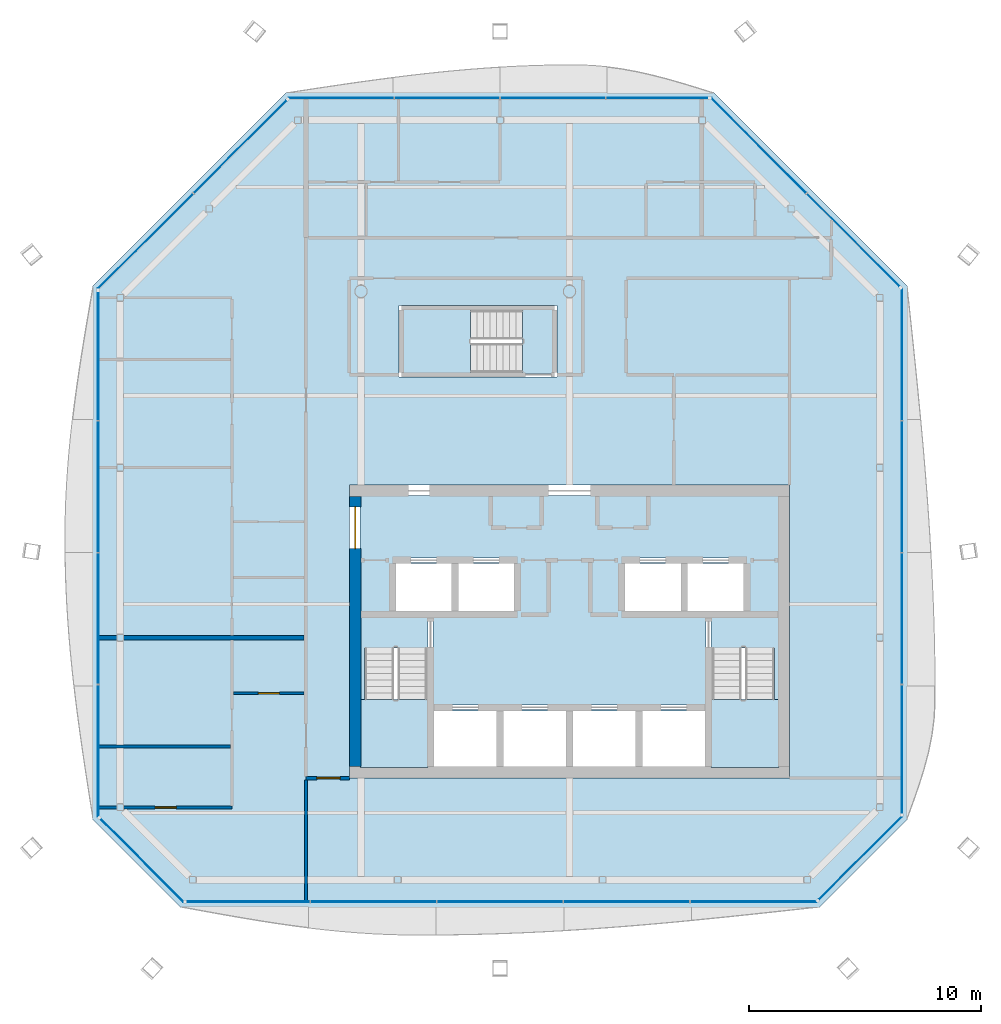
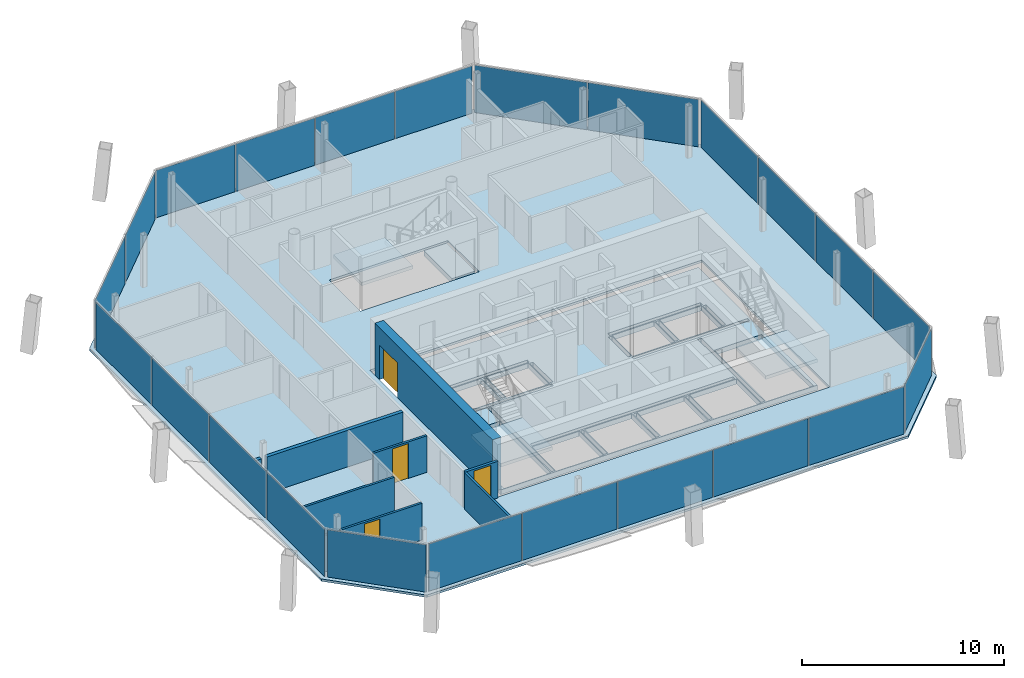
# One storey, part 9 of 16: 23 plates, 9 walls, 6 slabs, 4 doors, 4 openings, 11 elements without a shape of their own.
"""IFC4 building model written with IfcOpenShell, lengths in metres."""

import ifcopenshell
import ifcopenshell.guid

model = None  # the IFC model being written
_history = None  # IfcOwnerHistory: only IFC2X3 demands one
_inside = {}  # id of a spatial element -> (the spatial element, [elements in it])
_under = {}  # id of a project, library or spatial element -> (it, [spatial elements below it])
_declared = {}  # id of a project -> (the project, [libraries it declares])
_typed = {}  # id of a type object -> (the type object, [elements of that type])
_made_of = {}  # id of a material, layer set ... -> (it, [elements and type objects made of it])


def new_model(schema):
    """Start an empty IFC model of exactly this schema.

    Asked for "IFC4X3", IfcOpenShell would pick the latest addendum, in which some entities
    have other attributes; the version numbers below select the first issue.
    IFC2X3 requires an IfcOwnerHistory on every rooted entity: one is made here for all.
    """
    global model, _history
    if schema == "IFC4X3":
        model = ifcopenshell.file(schema_version=(4, 3, 0, 0))
    else:
        model = ifcopenshell.file(schema=schema)
    _inside.clear()
    _under.clear()
    _declared.clear()
    _typed.clear()
    _made_of.clear()
    _history = None
    if model.schema == "IFC2X3":
        org = make("IfcOrganization", Name="unknown")
        user = make(
            "IfcPersonAndOrganization",
            ThePerson=make("IfcPerson", FamilyName="unknown"),
            TheOrganization=org,
        )
        app = make(
            "IfcApplication",
            ApplicationDeveloper=org,
            Version="unknown",
            ApplicationFullName="unknown",
            ApplicationIdentifier="unknown",
        )
        _history = make(
            "IfcOwnerHistory",
            OwningUser=user,
            OwningApplication=app,
            ChangeAction="ADDED",
            CreationDate=0,
        )
    return model


def make(cls, **values):
    """One entity of the class cls with the attributes given. An attribute that is None is left unset."""
    return model.create_entity(
        cls, **{name: value for name, value in values.items() if value is not None}
    )


def rooted(cls, **values):
    """An entity with a GlobalId (a new one), such as an element, a storey or a relation."""
    return make(cls, GlobalId=ifcopenshell.guid.new(), OwnerHistory=_history, **values)


def si_unit(unit_type, name, prefix=None):
    """IfcSIUnit, for example si_unit("LENGTHUNIT", "METRE", prefix="MILLI")."""
    return make("IfcSIUnit", UnitType=unit_type, Prefix=prefix, Name=name)


def assignment(units):
    """IfcUnitAssignment: the units of a project."""
    return None if units is None else make("IfcUnitAssignment", Units=units)


def point(xyz):
    """IfcCartesianPoint."""
    return None if xyz is None else make("IfcCartesianPoint", Coordinates=xyz)


def direction(xyz):
    """IfcDirection."""
    return None if xyz is None else make("IfcDirection", DirectionRatios=xyz)


def frame(location, z_axis=None, x_axis=None):
    """IfcAxis2Placement3D, a coordinate frame: its origin and axes. An axis left out is left unset."""
    return make(
        "IfcAxis2Placement3D",
        Location=point(location),
        Axis=direction(z_axis),
        RefDirection=direction(x_axis),
    )


def frame_2d(location, x_axis=None):
    """IfcAxis2Placement2D, a coordinate frame in the plane: its origin and x axis."""
    return make(
        "IfcAxis2Placement2D", Location=point(location), RefDirection=direction(x_axis)
    )


def origin():
    """The frame at (0, 0, 0) with its axes left unset."""
    return frame((0.0, 0.0, 0.0))


def origin_2d():
    """The frame at (0, 0) in the plane with its x axis left unset."""
    return frame_2d((0.0, 0.0))


def place(relative_to, where):
    """IfcLocalPlacement: puts the frame where relative to a parent placement (None: the world)."""
    return make(
        "IfcLocalPlacement", PlacementRelTo=relative_to, RelativePlacement=where
    )


def context(
    kind, dimensions, precision=None, world=None, true_north=None, identifier=None
):
    """IfcGeometricRepresentationContext, for example the 3D "Model" context."""
    return make(
        "IfcGeometricRepresentationContext",
        ContextIdentifier=identifier,
        ContextType=kind,
        CoordinateSpaceDimension=dimensions,
        Precision=precision,
        WorldCoordinateSystem=world,
        TrueNorth=true_north,
    )


def subcontext(parent, identifier, kind, view, scale=None):
    """IfcGeometricRepresentationSubContext, for example "Body" below "Model"."""
    return make(
        "IfcGeometricRepresentationSubContext",
        ContextIdentifier=identifier,
        ContextType=kind,
        ParentContext=parent,
        TargetScale=scale,
        TargetView=view,
    )


def project(units=None, contexts=None):
    """IfcProject with its units and contexts."""
    return rooted(
        "IfcProject",
        Name="project",
        RepresentationContexts=contexts,
        UnitsInContext=assignment(units),
    )


def spatial(cls, under=None, at=None, **own):
    """A site, building, storey or space (cls), placed at a placement, below another one or the project."""
    s = rooted(cls, ObjectPlacement=at, **own)
    if under is not None:
        _under.setdefault(under.id(), (under, []))[1].append(s)
    return s


def polyline(points):
    """IfcPolyline through the points."""
    return make("IfcPolyline", Points=[point(p) for p in points])


def profile(cls, at=None, kind="AREA", **sizes):
    """A parametric profile (cls). Its sizes go by their IFC names, for example OverallWidth=200.0."""
    return make(cls, ProfileType=kind, Position=at, **sizes)


def rectangle(**sizes):
    """IfcRectangleProfileDef."""
    return profile("IfcRectangleProfileDef", **sizes)


def outline(outer, holes=None, kind="AREA"):
    """IfcArbitraryClosedProfileDef: a profile drawn as a closed curve; with holes, ...WithVoids."""
    if holes is None:
        return make("IfcArbitraryClosedProfileDef", ProfileType=kind, OuterCurve=outer)
    return make(
        "IfcArbitraryProfileDefWithVoids",
        ProfileType=kind,
        OuterCurve=outer,
        InnerCurves=holes,
    )


def extrude(swept, where, along, depth):
    """IfcExtrudedAreaSolid: the profile swept, set in the frame where, extruded along a direction by depth."""
    return make(
        "IfcExtrudedAreaSolid",
        SweptArea=swept,
        Position=where,
        ExtrudedDirection=direction(along),
        Depth=depth,
    )


def shape(context_of_items, identifier, shape_type, items):
    """IfcShapeRepresentation: the items that make up one representation, for example the "Body"."""
    return make(
        "IfcShapeRepresentation",
        ContextOfItems=context_of_items,
        RepresentationIdentifier=identifier,
        RepresentationType=shape_type,
        Items=items,
    )


def material(Name=None, Category=None):
    """IfcMaterial."""
    return make("IfcMaterial", Name=Name, Category=Category)


def layer(
    of_material, thickness, ventilated=None, Name=None, Category=None, Priority=None
):
    """IfcMaterialLayer: one layer of a wall or slab, of a material (None: an air gap)."""
    return make(
        "IfcMaterialLayer",
        Material=of_material,
        LayerThickness=thickness,
        IsVentilated=ventilated,
        Name=Name,
        Category=Category,
        Priority=Priority,
    )


def layer_set(layers, Name=None):
    """IfcMaterialLayerSet."""
    return make("IfcMaterialLayerSet", MaterialLayers=layers, LayerSetName=Name)


def made_of(thing, what):
    """Note that an element or type object is made of a material, layer set ...; save() writes the relation."""
    if what is not None:
        _made_of.setdefault(what.id(), (what, []))[1].append(thing)
    return thing


def type_object(cls, material=None, **own):
    """A type object (cls), such as IfcWallType, which elements share."""
    return made_of(rooted(cls, **own), material)


def element(
    cls,
    number,
    at=None,
    inside=None,
    cuts=None,
    type_object=None,
    material=None,
    context=None,
    identifier="Body",
    shape_type=None,
    held_by="IfcProductDefinitionShape",
    body=None,
    shapes=None,
    **own,
):
    """One element of the class cls, such as IfcWall. Its Tag is "e" and its number.

    at: its placement. inside: the storey or other place that contains it. cuts: it is an
    opening in that element (IfcRelVoidsElement). A single representation is given by context,
    identifier, shape_type and body (its items); several are given by shapes. held_by: the class
    of the entity that holds the representations. save() writes the other relations.
    """
    e = rooted(cls, Tag="e%d" % number, ObjectPlacement=at, **own)
    if body is not None:
        shapes = [shape(context, identifier, shape_type, body)]
    if shapes is not None:
        e.Representation = make(held_by, Representations=shapes)
    if inside is not None:
        _inside.setdefault(inside.id(), (inside, []))[1].append(e)
    if cuts is not None:
        rooted(
            "IfcRelVoidsElement", RelatingBuildingElement=cuts, RelatedOpeningElement=e
        )
    if type_object is not None:
        _typed.setdefault(type_object.id(), (type_object, []))[1].append(e)
    return made_of(e, material)


def fill(opening, filler):
    """IfcRelFillsElement: the door or window that sits in an opening."""
    return rooted(
        "IfcRelFillsElement",
        RelatingOpeningElement=opening,
        RelatedBuildingElement=filler,
    )


def aggregate(whole, parts):
    """IfcRelAggregates: a whole, such as a stair, and the parts it consists of."""
    return rooted("IfcRelAggregates", RelatingObject=whole, RelatedObjects=parts)


def save(model, path):
    """Write the relations noted so far, then the file.

    IfcRelAggregates (storeys below a building ...), IfcRelContainedInSpatialStructure (elements
    in a storey), IfcRelDefinesByType, IfcRelAssociatesMaterial and IfcRelDeclares: one each for
    every whole, place, type object, material and project.
    """
    for whole, parts in _under.values():
        aggregate(whole, parts)
    for where, things in _inside.values():
        rooted(
            "IfcRelContainedInSpatialStructure",
            RelatedElements=things,
            RelatingStructure=where,
        )
    for kind, things in _typed.values():
        rooted("IfcRelDefinesByType", RelatedObjects=things, RelatingType=kind)
    for what, things in _made_of.values():
        rooted("IfcRelAssociatesMaterial", RelatedObjects=things, RelatingMaterial=what)
    for by, libraries in _declared.values():
        rooted("IfcRelDeclares", RelatingContext=by, RelatedDefinitions=libraries)
    model.write(path)


model = new_model("IFC4")

# Units and contexts
model_context = context("Model", 3, precision=1e-05, world=origin(), true_north=direction((0.0, 1.0)))
body_context = subcontext(model_context, "Body", "Model", "MODEL_VIEW")
ifc_project = project(units=[si_unit("LENGTHUNIT", "METRE"), si_unit("AREAUNIT", "SQUARE_METRE"), si_unit("VOLUMEUNIT", "CUBIC_METRE"), si_unit("PLANEANGLEUNIT", "RADIAN"), si_unit("MASSUNIT", "GRAM", prefix="KILO")], contexts=[model_context])

# Site, building, storey
site_placement = place(None, origin())
site = spatial("IfcSite", under=ifc_project, at=site_placement, CompositionType="ELEMENT")
building_placement = place(site_placement, origin())
building = spatial("IfcBuilding", under=site, at=building_placement, Name="Tskaro Facet Tower", CompositionType="ELEMENT")
storey_placement = place(building_placement, frame((0.0, 0.0, 248.699951171875)))
storey = spatial("IfcBuildingStorey", under=building, at=storey_placement, Name="L65", CompositionType="ELEMENT", Elevation=248.699951171875)

# Slab
ifc_material_1 = material(Name="Concrete C30/37", Category="concrete")
ifc_layer_1 = layer(ifc_material_1, 0.139892578125, Name="Concrete C30/37")
ifc_layer_set_1 = layer_set([ifc_layer_1], Name="Concrete C30/37")
slab_type_1 = type_object("IfcSlabType", Name="Composite deck floor slab", PredefinedType="FLOOR", material=ifc_layer_set_1)
slab_1_placement = place(storey_placement, frame((0.0, 0.0, -0.139892578125)))
element("IfcSlab", 1, at=slab_1_placement, inside=storey, type_object=slab_type_1, Name="Floor slab FS3 L65", PredefinedType="FLOOR", context=body_context, shape_type="SweptSolid", body=[
    extrude(outline(polyline([(-16.764892578125, -17.591064453125), (10.764892578125, -17.591064453125), (14.591064453125, -13.764892578125), (14.591064453125, 9.221923828125), (6.221923828125, 17.591064453125), (-12.221923828125, 17.591064453125), (-20.591064453125, 9.221923828125), (-20.591064453125, -13.764892578125), (-16.764892578125, -17.591064453125)]), holes=[polyline([(-9.5, -12.0), (9.5, -12.0), (9.5, 0.64990234375), (-9.5, 0.64990234375), (-9.5, -12.0)]), polyline([(-7.35009765625, 5.300048828125), (-0.550048828125, 5.300048828125), (-0.550048828125, 8.39990234375), (-7.35009765625, 8.39990234375), (-7.35009765625, 5.300048828125)])]), origin(), (0.0, 0.0, 1.0), 0.139892578125),
])

# Curtain wall, plates
ifc_material_2 = material(Name="Bronze anodised aluminium 6063-T6", Category="aluminium")
curtain_wall_type = type_object("IfcCurtainWallType", Name="Bronze residence curtain wall (FW3)", PredefinedType="NOTDEFINED", material=ifc_material_2)
curtain_wall_1_placement = place(storey_placement, origin())
curtain_wall_1 = element("IfcCurtainWall", 2, at=curtain_wall_1_placement, inside=storey, type_object=curtain_wall_type, Name="FW3 south facet L65", PredefinedType="NOTDEFINED")
ifc_material_3 = material(Name="Bronze low-iron glass", Category="glass")
ifc_layer_2 = layer(ifc_material_3, 0.028076171875, Name="Bronze low-iron glass")
ifc_layer_set_2 = layer_set([ifc_layer_2], Name="Bronze low-iron glass")
plate_type = type_object("IfcPlateType", Name="FW3 bronze-tinted unit glazing 28", PredefinedType="CURTAIN_PANEL", material=ifc_layer_set_2)
plate_1_placement = place(storey_placement, frame((-13.871337890625, -17.341064453125, 0.0), z_axis=(0.0, 0.0, 1.0), x_axis=(1.0, 0.0, 0.0)))
plate_1 = element("IfcPlate", 3, at=plate_1_placement, type_object=plate_type, Name="FW3 south glazing 1.1", PredefinedType="CURTAIN_PANEL", context=body_context, shape_type="SweptSolid", body=[
    extrude(rectangle(XDim=5.29931640625, YDim=0.028076171875, at=origin_2d()), origin(), (0.0, 0.0, 1.0), 2.860107421875),
])
plate_2_placement = place(storey_placement, frame((-8.46435546875, -17.341064453125, 0.0), z_axis=(0.0, 0.0, 1.0), x_axis=(1.0, 0.0, 0.0)))
plate_2 = element("IfcPlate", 4, at=plate_2_placement, type_object=plate_type, Name="FW3 south glazing 2.1", PredefinedType="CURTAIN_PANEL", context=body_context, shape_type="SweptSolid", body=[
    extrude(rectangle(XDim=5.414306640625, YDim=0.028076171875, at=origin_2d()), origin(), (0.0, 0.0, 1.0), 2.860107421875),
])
plate_3_placement = place(storey_placement, frame((-3.0, -17.341064453125, 0.0), z_axis=(0.0, 0.0, 1.0), x_axis=(1.0, 0.0, 0.0)))
plate_3 = element("IfcPlate", 5, at=plate_3_placement, type_object=plate_type, Name="FW3 south glazing 3.1", PredefinedType="CURTAIN_PANEL", context=body_context, shape_type="SweptSolid", body=[
    extrude(rectangle(XDim=5.414306640625, YDim=0.028076171875, at=origin_2d()), origin(), (0.0, 0.0, 1.0), 2.860107421875),
])
plate_4_placement = place(storey_placement, frame((2.46435546875, -17.341064453125, 0.0), z_axis=(0.0, 0.0, 1.0), x_axis=(1.0, 0.0, 0.0)))
plate_4 = element("IfcPlate", 6, at=plate_4_placement, type_object=plate_type, Name="FW3 south glazing 4.1", PredefinedType="CURTAIN_PANEL", context=body_context, shape_type="SweptSolid", body=[
    extrude(rectangle(XDim=5.414306640625, YDim=0.028076171875, at=origin_2d()), origin(), (0.0, 0.0, 1.0), 2.860107421875),
])
plate_5_placement = place(storey_placement, frame((7.94140625, -17.341064453125, 0.0), z_axis=(0.0, 0.0, 1.0), x_axis=(1.0, 0.0, 0.0)))
plate_5 = element("IfcPlate", 7, at=plate_5_placement, type_object=plate_type, Name="FW3 south glazing 5.1", PredefinedType="CURTAIN_PANEL", context=body_context, shape_type="SweptSolid", body=[
    extrude(rectangle(XDim=5.439453125, YDim=0.028076171875, at=origin_2d()), origin(), (0.0, 0.0, 1.0), 2.860107421875),
])
aggregate(curtain_wall_1, [plate_1, plate_2, plate_3, plate_4, plate_5])

# Curtain wall, plate
curtain_wall_2_placement = place(storey_placement, origin())
curtain_wall_2 = element("IfcCurtainWall", 8, at=curtain_wall_2_placement, inside=storey, type_object=curtain_wall_type, Name="FW3 south-east facet L65", PredefinedType="NOTDEFINED")
plate_6_placement = place(storey_placement, frame((12.550537109375, -15.451416015625, 0.0), z_axis=(0.0, 0.0, 1.0), x_axis=(0.707106781187, 0.707106781187, 0.0)))
plate_6 = element("IfcPlate", 9, at=plate_6_placement, type_object=plate_type, Name="FW3 south-east glazing 1.1", PredefinedType="CURTAIN_PANEL", context=body_context, shape_type="SweptSolid", body=[
    extrude(rectangle(XDim=5.064208984375, YDim=0.028076171875, at=origin_2d()), origin(), (0.0, 0.0, 1.0), 2.860107421875),
])
aggregate(curtain_wall_2, [plate_6])

# Curtain wall, plates
curtain_wall_3_placement = place(storey_placement, origin())
curtain_wall_3 = element("IfcCurtainWall", 10, at=curtain_wall_3_placement, inside=storey, type_object=curtain_wall_type, Name="FW3 east facet L65", PredefinedType="NOTDEFINED")
plate_7_placement = place(storey_placement, frame((14.341064453125, -10.756103515625, 0.0), z_axis=(0.0, 0.0, 1.0), x_axis=(0.0, 1.0, 0.0)))
plate_7 = element("IfcPlate", 11, at=plate_7_placement, type_object=plate_type, Name="FW3 east glazing 1.1", PredefinedType="CURTAIN_PANEL", context=body_context, shape_type="SweptSolid", body=[
    extrude(rectangle(XDim=5.52978515625, YDim=0.028076171875, at=origin_2d()), origin(), (0.0, 0.0, 1.0), 2.860107421875),
])
plate_8_placement = place(storey_placement, frame((14.341064453125, -5.118896484375, 0.0), z_axis=(0.0, 0.0, 1.0), x_axis=(0.0, 1.0, 0.0)))
plate_8 = element("IfcPlate", 12, at=plate_8_placement, type_object=plate_type, Name="FW3 east glazing 2.1", PredefinedType="CURTAIN_PANEL", context=body_context, shape_type="SweptSolid", body=[
    extrude(rectangle(XDim=5.644775390625, YDim=0.028076171875, at=origin_2d()), origin(), (0.0, 0.0, 1.0), 2.860107421875),
])
plate_9_placement = place(storey_placement, frame((14.341064453125, 0.575927734375, 0.0), z_axis=(0.0, 0.0, 1.0), x_axis=(0.0, 1.0, 0.0)))
plate_9 = element("IfcPlate", 13, at=plate_9_placement, type_object=plate_type, Name="FW3 east glazing 3.1", PredefinedType="CURTAIN_PANEL", context=body_context, shape_type="SweptSolid", body=[
    extrude(rectangle(XDim=5.644775390625, YDim=0.028076171875, at=origin_2d()), origin(), (0.0, 0.0, 1.0), 2.860107421875),
])
plate_10_placement = place(storey_placement, frame((14.341064453125, 6.283203125, 0.0), z_axis=(0.0, 0.0, 1.0), x_axis=(0.0, 1.0, 0.0)))
plate_10 = element("IfcPlate", 14, at=plate_10_placement, type_object=plate_type, Name="FW3 east glazing 4.1", PredefinedType="CURTAIN_PANEL", context=body_context, shape_type="SweptSolid", body=[
    extrude(rectangle(XDim=5.669677734375, YDim=0.028076171875, at=origin_2d()), origin(), (0.0, 0.0, 1.0), 2.860107421875),
])
aggregate(curtain_wall_3, [plate_7, plate_8, plate_9, plate_10])

curtain_wall_4_placement = place(storey_placement, origin())
curtain_wall_4 = element("IfcCurtainWall", 15, at=curtain_wall_4_placement, inside=storey, type_object=curtain_wall_type, Name="FW3 north-east facet L65", PredefinedType="NOTDEFINED")
plate_11_placement = place(storey_placement, frame((12.24462890625, 11.21435546875, 0.0), z_axis=(0.0, 0.0, 1.0), x_axis=(-0.707106781187, 0.707106781187, 0.0)))
plate_11 = element("IfcPlate", 16, at=plate_11_placement, type_object=plate_type, Name="FW3 north-east glazing 1.1", PredefinedType="CURTAIN_PANEL", context=body_context, shape_type="SweptSolid", body=[
    extrude(rectangle(XDim=5.649658203125, YDim=0.028076171875, at=origin_2d()), origin(), (0.0, 0.0, 1.0), 2.860107421875),
])
plate_12_placement = place(storey_placement, frame((8.164794921875, 15.294189453125, 0.0), z_axis=(0.0, 0.0, 1.0), x_axis=(-0.707106781187, 0.707106781187, 0.0)))
plate_12 = element("IfcPlate", 17, at=plate_12_placement, type_object=plate_type, Name="FW3 north-east glazing 2.1", PredefinedType="CURTAIN_PANEL", context=body_context, shape_type="SweptSolid", body=[
    extrude(rectangle(XDim=5.78955078125, YDim=0.028076171875, at=origin_2d()), origin(), (0.0, 0.0, 1.0), 2.860107421875),
])
aggregate(curtain_wall_4, [plate_11, plate_12])

curtain_wall_5_placement = place(storey_placement, origin())
curtain_wall_5 = element("IfcCurtainWall", 18, at=curtain_wall_5_placement, inside=storey, type_object=curtain_wall_type, Name="FW3 north facet L65", PredefinedType="NOTDEFINED")
plate_13_placement = place(storey_placement, frame((3.781005859375, 17.341064453125, 0.0), z_axis=(0.0, 0.0, 1.0), x_axis=(-1.0, 0.0, 0.0)))
plate_13 = element("IfcPlate", 19, at=plate_13_placement, type_object=plate_type, Name="FW3 north glazing 1.1", PredefinedType="CURTAIN_PANEL", context=body_context, shape_type="SweptSolid", body=[
    extrude(rectangle(XDim=4.39404296875, YDim=0.028076171875, at=origin_2d()), origin(), (0.0, 0.0, 1.0), 2.860107421875),
])
plate_14_placement = place(storey_placement, frame((-0.720458984375, 17.341064453125, 0.0), z_axis=(0.0, 0.0, 1.0), x_axis=(-1.0, 0.0, 0.0)))
plate_14 = element("IfcPlate", 20, at=plate_14_placement, type_object=plate_type, Name="FW3 north glazing 2.1", PredefinedType="CURTAIN_PANEL", context=body_context, shape_type="SweptSolid", body=[
    extrude(rectangle(XDim=4.509033203125, YDim=0.028076171875, at=origin_2d()), origin(), (0.0, 0.0, 1.0), 2.860107421875),
])
plate_15_placement = place(storey_placement, frame((-5.279541015625, 17.341064453125, 0.0), z_axis=(0.0, 0.0, 1.0), x_axis=(-1.0, 0.0, 0.0)))
plate_15 = element("IfcPlate", 21, at=plate_15_placement, type_object=plate_type, Name="FW3 north glazing 3.1", PredefinedType="CURTAIN_PANEL", context=body_context, shape_type="SweptSolid", body=[
    extrude(rectangle(XDim=4.509033203125, YDim=0.028076171875, at=origin_2d()), origin(), (0.0, 0.0, 1.0), 2.860107421875),
])
plate_16_placement = place(storey_placement, frame((-9.85107421875, 17.341064453125, 0.0), z_axis=(0.0, 0.0, 1.0), x_axis=(-1.0, 0.0, 0.0)))
plate_16 = element("IfcPlate", 22, at=plate_16_placement, type_object=plate_type, Name="FW3 north glazing 4.1", PredefinedType="CURTAIN_PANEL", context=body_context, shape_type="SweptSolid", body=[
    extrude(rectangle(XDim=4.533935546875, YDim=0.028076171875, at=origin_2d()), origin(), (0.0, 0.0, 1.0), 2.860107421875),
])
aggregate(curtain_wall_5, [plate_13, plate_14, plate_15, plate_16])

curtain_wall_6_placement = place(storey_placement, origin())
curtain_wall_6 = element("IfcCurtainWall", 23, at=curtain_wall_6_placement, inside=storey, type_object=curtain_wall_type, Name="FW3 north-west facet L65", PredefinedType="NOTDEFINED")
plate_17_placement = place(storey_placement, frame((-14.21435546875, 15.24462890625, 0.0), z_axis=(0.0, 0.0, 1.0), x_axis=(-0.707106781187, -0.707106781187, 0.0)))
plate_17 = element("IfcPlate", 24, at=plate_17_placement, type_object=plate_type, Name="FW3 north-west glazing 1.1", PredefinedType="CURTAIN_PANEL", context=body_context, shape_type="SweptSolid", body=[
    extrude(rectangle(XDim=5.649658203125, YDim=0.028076171875, at=origin_2d()), origin(), (0.0, 0.0, 1.0), 2.860107421875),
])
plate_18_placement = place(storey_placement, frame((-18.294189453125, 11.164794921875, 0.0), z_axis=(0.0, 0.0, 1.0), x_axis=(-0.707106781187, -0.707106781187, 0.0)))
plate_18 = element("IfcPlate", 25, at=plate_18_placement, type_object=plate_type, Name="FW3 north-west glazing 2.1", PredefinedType="CURTAIN_PANEL", context=body_context, shape_type="SweptSolid", body=[
    extrude(rectangle(XDim=5.78955078125, YDim=0.028076171875, at=origin_2d()), origin(), (0.0, 0.0, 1.0), 2.860107421875),
])
aggregate(curtain_wall_6, [plate_17, plate_18])

curtain_wall_7_placement = place(storey_placement, origin())
curtain_wall_7 = element("IfcCurtainWall", 26, at=curtain_wall_7_placement, inside=storey, type_object=curtain_wall_type, Name="FW3 west facet L65", PredefinedType="NOTDEFINED")
plate_19_placement = place(storey_placement, frame((-20.341064453125, 6.213134765625, 0.0), z_axis=(0.0, 0.0, 1.0), x_axis=(0.0, -1.0, 0.0)))
plate_19 = element("IfcPlate", 27, at=plate_19_placement, type_object=plate_type, Name="FW3 west glazing 1.1", PredefinedType="CURTAIN_PANEL", context=body_context, shape_type="SweptSolid", body=[
    extrude(rectangle(XDim=5.52978515625, YDim=0.028076171875, at=origin_2d()), origin(), (0.0, 0.0, 1.0), 2.860107421875),
])
plate_20_placement = place(storey_placement, frame((-20.341064453125, 0.575927734375, 0.0), z_axis=(0.0, 0.0, 1.0), x_axis=(0.0, -1.0, 0.0)))
plate_20 = element("IfcPlate", 28, at=plate_20_placement, type_object=plate_type, Name="FW3 west glazing 2.1", PredefinedType="CURTAIN_PANEL", context=body_context, shape_type="SweptSolid", body=[
    extrude(rectangle(XDim=5.644775390625, YDim=0.028076171875, at=origin_2d()), origin(), (0.0, 0.0, 1.0), 2.860107421875),
])
plate_21_placement = place(storey_placement, frame((-20.341064453125, -5.118896484375, 0.0), z_axis=(0.0, 0.0, 1.0), x_axis=(0.0, -1.0, 0.0)))
plate_21 = element("IfcPlate", 29, at=plate_21_placement, type_object=plate_type, Name="FW3 west glazing 3.1", PredefinedType="CURTAIN_PANEL", context=body_context, shape_type="SweptSolid", body=[
    extrude(rectangle(XDim=5.644775390625, YDim=0.028076171875, at=origin_2d()), origin(), (0.0, 0.0, 1.0), 2.860107421875),
])
plate_22_placement = place(storey_placement, frame((-20.341064453125, -10.826171875, 0.0), z_axis=(0.0, 0.0, 1.0), x_axis=(0.0, -1.0, 0.0)))
plate_22 = element("IfcPlate", 30, at=plate_22_placement, type_object=plate_type, Name="FW3 west glazing 4.1", PredefinedType="CURTAIN_PANEL", context=body_context, shape_type="SweptSolid", body=[
    extrude(rectangle(XDim=5.669677734375, YDim=0.028076171875, at=origin_2d()), origin(), (0.0, 0.0, 1.0), 2.860107421875),
])
aggregate(curtain_wall_7, [plate_19, plate_20, plate_21, plate_22])

# Curtain wall, plate
curtain_wall_8_placement = place(storey_placement, origin())
curtain_wall_8 = element("IfcCurtainWall", 31, at=curtain_wall_8_placement, inside=storey, type_object=curtain_wall_type, Name="FW3 south-west facet L65", PredefinedType="NOTDEFINED")
plate_23_placement = place(storey_placement, frame((-18.451416015625, -15.550537109375, 0.0), z_axis=(0.0, 0.0, 1.0), x_axis=(0.707106781187, -0.707106781187, 0.0)))
plate_23 = element("IfcPlate", 32, at=plate_23_placement, type_object=plate_type, Name="FW3 south-west glazing 1.1", PredefinedType="CURTAIN_PANEL", context=body_context, shape_type="SweptSolid", body=[
    extrude(rectangle(XDim=5.064208984375, YDim=0.028076171875, at=origin_2d()), origin(), (0.0, 0.0, 1.0), 2.860107421875),
])
aggregate(curtain_wall_8, [plate_23])

# Stair, slab
ifc_material_4 = material(Name="Concrete C40/50", Category="concrete")
stair_type = type_object("IfcStairType", Name="ST-TWR", PredefinedType="HALF_TURN_STAIR", material=ifc_material_4)
stair_1_placement = place(storey_placement, origin())
stair_1 = element("IfcStair", 33, at=stair_1_placement, inside=storey, type_object=stair_type, Name="L65 Exit stair 1", PredefinedType="HALF_TURN_STAIR")
ifc_layer_3 = layer(ifc_material_4, 0.199951171875, Name="Concrete C40/50")
ifc_layer_set_3 = layer_set([ifc_layer_3], Name="Concrete C40/50")
slab_type_2 = type_object("IfcSlabType", Name="SL-LANDING", PredefinedType="LANDING", material=ifc_layer_set_3)
slab_2_placement = place(storey_placement, frame((0.0, 0.0, 1.375)))
slab_2 = element("IfcSlab", 34, at=slab_2_placement, type_object=slab_type_2, Name="ST-1 landing 1", PredefinedType="LANDING", context=body_context, shape_type="SweptSolid", body=[
    extrude(outline(polyline([(-9.050048828125, -11.550048828125), (-6.10009765625, -11.550048828125), (-6.10009765625, -8.614990234375), (-9.050048828125, -8.614990234375), (-9.050048828125, -11.550048828125)])), origin(), (0.0, 0.0, 1.0), 0.199951171875),
])
aggregate(stair_1, [slab_2])

stair_2_placement = place(storey_placement, origin())
stair_2 = element("IfcStair", 35, at=stair_2_placement, inside=storey, type_object=stair_type, Name="L65 Exit stair 2", PredefinedType="HALF_TURN_STAIR")
slab_3_placement = place(storey_placement, frame((0.0, 0.0, 1.375)))
slab_3 = element("IfcSlab", 36, at=slab_3_placement, type_object=slab_type_2, Name="ST-2 landing 1", PredefinedType="LANDING", context=body_context, shape_type="SweptSolid", body=[
    extrude(outline(polyline([(6.10009765625, -11.550048828125), (9.050048828125, -11.550048828125), (9.050048828125, -8.614990234375), (6.10009765625, -8.614990234375), (6.10009765625, -11.550048828125)])), origin(), (0.0, 0.0, 1.0), 0.199951171875),
])
aggregate(stair_2, [slab_3])

stair_3_placement = place(storey_placement, origin())
stair_3 = element("IfcStair", 37, at=stair_3_placement, inside=storey, type_object=stair_type, Name="L65 Exit stair 3", PredefinedType="HALF_TURN_STAIR")
slab_4_placement = place(storey_placement, frame((0.0, 0.0, 1.375)))
slab_4 = element("IfcSlab", 38, at=slab_4_placement, type_object=slab_type_2, Name="ST-3 landing 1", PredefinedType="LANDING", context=body_context, shape_type="SweptSolid", body=[
    extrude(outline(polyline([(-7.199951171875, 5.449951171875), (-4.264892578125, 5.449951171875), (-4.264892578125, 8.25), (-7.199951171875, 8.25), (-7.199951171875, 5.449951171875)])), origin(), (0.0, 0.0, 1.0), 0.199951171875),
])
aggregate(stair_3, [slab_4])

# Slabs
ifc_material_5 = material(Name="Concrete C60/75", Category="concrete")
ifc_layer_4 = layer(ifc_material_5, 0.300048828125, Name="Concrete C60/75")
ifc_layer_set_4 = layer_set([ifc_layer_4], Name="Concrete C60/75")
slab_type_3 = type_object("IfcSlabType", Name="SLAB-CORE", PredefinedType="FLOOR", material=ifc_layer_set_4)
slab_5_placement = place(storey_placement, frame((0.0, 0.0, -0.300048828125)))
element("IfcSlab", 39, at=slab_5_placement, inside=storey, type_object=slab_type_3, Name="Core floor slab 1", PredefinedType="FLOOR", context=body_context, shape_type="SweptSolid", body=[
    extrude(outline(polyline([(-9.050048828125, 0.199951171875), (9.050048828125, 0.199951171875), (9.050048828125, 0.10009765625), (9.050048828125, -11.449951171875), (9.050048828125, -11.550048828125), (-9.050048828125, -11.550048828125), (-9.050048828125, -11.449951171875), (-9.050048828125, 0.10009765625), (-9.050048828125, 0.199951171875)]), holes=[polyline([(-5.85009765625, -9.10009765625), (-5.85009765625, -11.5), (-3.14990234375, -11.5), (-3.14990234375, -9.10009765625), (-5.85009765625, -9.10009765625)]), polyline([(-3.10009765625, -11.449951171875), (-2.89990234375, -11.449951171875), (-2.89990234375, -9.14990234375), (-3.10009765625, -9.14990234375), (-3.10009765625, -11.449951171875)]), polyline([(-2.85009765625, -9.10009765625), (-2.85009765625, -11.5), (-0.14990234375, -11.5), (-0.14990234375, -9.10009765625), (-2.85009765625, -9.10009765625)]), polyline([(-6.10009765625, -11.449951171875), (-5.89990234375, -11.449951171875), (-5.89990234375, -5.14990234375), (-6.10009765625, -5.14990234375), (-6.10009765625, -11.449951171875)]), polyline([(-8.949951171875, -5.050048828125), (-2.300048828125, -5.050048828125), (-2.300048828125, -4.85009765625), (-8.949951171875, -4.85009765625), (-8.949951171875, -5.050048828125)]), polyline([(-7.75, -4.75), (-7.550048828125, -4.75), (-7.550048828125, -2.800048828125), (-7.75, -2.800048828125), (-7.75, -4.75)]), polyline([(-7.5, -2.75), (-7.5, -4.800048828125), (-5.10009765625, -4.800048828125), (-5.10009765625, -2.75), (-7.5, -2.75)]), polyline([(-5.050048828125, -4.75), (-4.85009765625, -4.75), (-4.85009765625, -2.800048828125), (-5.050048828125, -2.800048828125), (-5.050048828125, -4.75)]), polyline([(-2.39990234375, -2.75), (-4.800048828125, -2.75), (-4.800048828125, -4.800048828125), (-2.39990234375, -4.800048828125), (-2.39990234375, -2.75)]), polyline([(-2.35009765625, -4.75), (-2.14990234375, -4.75), (-2.14990234375, -2.800048828125), (-2.35009765625, -2.800048828125), (-2.35009765625, -4.75)]), polyline([(-7.60009765625, -2.699951171875), (-2.300048828125, -2.699951171875), (-2.300048828125, -2.5), (-7.60009765625, -2.5), (-7.60009765625, -2.699951171875)]), polyline([(-0.10009765625, -11.449951171875), (0.10009765625, -11.449951171875), (0.10009765625, -9.14990234375), (-0.10009765625, -9.14990234375), (-0.10009765625, -11.449951171875)]), polyline([(0.14990234375, -9.10009765625), (0.14990234375, -11.5), (2.85009765625, -11.5), (2.85009765625, -9.10009765625), (0.14990234375, -9.10009765625)]), polyline([(2.89990234375, -11.449951171875), (3.10009765625, -11.449951171875), (3.10009765625, -9.14990234375), (2.89990234375, -9.14990234375), (2.89990234375, -11.449951171875)]), polyline([(3.14990234375, -9.10009765625), (3.14990234375, -11.5), (5.85009765625, -11.5), (5.85009765625, -9.10009765625), (3.14990234375, -9.10009765625)]), polyline([(-5.800048828125, -9.050048828125), (5.800048828125, -9.050048828125), (5.800048828125, -8.85009765625), (-5.800048828125, -8.85009765625), (-5.800048828125, -9.050048828125)]), polyline([(5.89990234375, -11.449951171875), (6.10009765625, -11.449951171875), (6.10009765625, -5.14990234375), (5.89990234375, -5.14990234375), (5.89990234375, -11.449951171875)]), polyline([(2.300048828125, -5.050048828125), (8.949951171875, -5.050048828125), (8.949951171875, -4.85009765625), (2.300048828125, -4.85009765625), (2.300048828125, -5.050048828125)]), polyline([(2.14990234375, -4.75), (2.35009765625, -4.75), (2.35009765625, -2.800048828125), (2.14990234375, -2.800048828125), (2.14990234375, -4.75)]), polyline([(2.39990234375, -4.800048828125), (4.800048828125, -4.800048828125), (4.800048828125, -2.75), (2.39990234375, -2.75), (2.39990234375, -4.800048828125)]), polyline([(4.85009765625, -4.75), (5.050048828125, -4.75), (5.050048828125, -2.800048828125), (4.85009765625, -2.800048828125), (4.85009765625, -4.75)]), polyline([(5.10009765625, -4.800048828125), (7.5, -4.800048828125), (7.5, -2.75), (5.10009765625, -2.75), (5.10009765625, -4.800048828125)]), polyline([(7.550048828125, -4.75), (7.75, -4.75), (7.75, -2.800048828125), (7.550048828125, -2.800048828125), (7.550048828125, -4.75)]), polyline([(2.300048828125, -2.699951171875), (7.60009765625, -2.699951171875), (7.60009765625, -2.5), (2.300048828125, -2.5), (2.300048828125, -2.699951171875)]), polyline([(-8.85009765625, -11.5), (-6.14990234375, -11.5), (-6.14990234375, -6.39501953125), (-8.85009765625, -6.39501953125), (-8.85009765625, -11.5)]), polyline([(6.14990234375, -6.39501953125), (6.14990234375, -11.5), (8.85009765625, -11.5), (8.85009765625, -6.39501953125), (6.14990234375, -6.39501953125)])]), origin(), (0.0, 0.0, 1.0), 0.300048828125),
])
slab_6_placement = place(storey_placement, frame((0.0, 0.0, -0.300048828125)))
element("IfcSlab", 40, at=slab_6_placement, inside=storey, type_object=slab_type_3, Name="Stair 3 floor landing 1", PredefinedType="FLOOR", context=body_context, shape_type="SweptSolid", body=[
    extrude(outline(polyline([(-2.02490234375, 5.449951171875), (-0.699951171875, 5.449951171875), (-0.699951171875, 8.25), (-2.02490234375, 8.25), (-2.02490234375, 5.449951171875)])), origin(), (0.0, 0.0, 1.0), 0.300048828125),
])

# Wall, opening, door
ifc_layer_5 = layer(ifc_material_4, 0.5, Name="Concrete C40/50")
ifc_layer_set_5 = layer_set([ifc_layer_5], Name="Concrete C40/50")
wall_type_1 = type_object("IfcWallType", Name="Core wall 500", PredefinedType="SHEAR", material=ifc_layer_set_5)
wall_1_placement = place(storey_placement, frame((-9.25, -11.5, 0.0), z_axis=(0.0, 0.0, 1.0), x_axis=(0.0, 1.0, 0.0)))
wall_1 = element("IfcWall", 41, at=wall_1_placement, inside=storey, type_object=wall_type_1, Name="Core wall CW-Z3W", PredefinedType="SHEAR", context=body_context, shape_type="SweptSolid", body=[
    extrude(rectangle(XDim=11.64990234375, YDim=0.5, at=frame_2d((5.824951171875, 0.0))), origin(), (0.0, 0.0, 1.0), 3.150146484375),
])
opening_1_placement = place(wall_1_placement, frame((9.39990234375, 0.0, 0.0)))
opening_1 = element("IfcOpeningElement", 42, at=opening_1_placement, cuts=wall_1, Name="Opening T19-D11", PredefinedType="OPENING", context=body_context, shape_type="SweptSolid", body=[
    extrude(rectangle(XDim=1.800048828125, YDim=2.10009765625, at=frame_2d((0.89990234375, 1.050048828125))), frame((0.0, 0.260009765625, 0.0), z_axis=(0.0, -1.0, 0.0), x_axis=(1.0, 0.0, 0.0)), (0.0, 0.0, 1.0), 0.52001953125),
])
ifc_material_6 = material(Name="Steel", Category="steel")
door_type_1 = type_object("IfcDoorType", Name="D-CORE-PAIR", OperationType="NOTDEFINED", PredefinedType="DOOR", material=ifc_material_6)
door_1_placement = place(opening_1_placement, origin())
door_1 = element("IfcDoor", 43, at=door_1_placement, inside=storey, type_object=door_type_1, Name="Door T19-D11", OperationType="DOUBLE_DOOR_SINGLE_SWING", OverallHeight=2.10009765625, OverallWidth=1.800048828125, PredefinedType="DOOR", context=body_context, shape_type="SweptSolid", body=[
    extrude(rectangle(XDim=1.800048828125, YDim=2.10009765625, at=frame_2d((0.89990234375, 1.050048828125))), frame((0.0, 0.02490234375, 0.0), z_axis=(0.0, -1.0, 0.0), x_axis=(1.0, 0.0, 0.0)), (0.0, 0.0, 1.0), 0.050048828125),
])
fill(opening_1, door_1)

# Wall
ifc_material_7 = material(Name="Gypsum board on steel studs", Category="steel")
ifc_layer_6 = layer(ifc_material_7, 0.125, Name="Gypsum board on steel studs")
ifc_layer_set_6 = layer_set([ifc_layer_6], Name="Gypsum board on steel studs")
wall_type_2 = type_object("IfcWallType", Name="PART", PredefinedType="PARTITIONING", material=ifc_layer_set_6)
wall_2_placement = place(storey_placement, frame((-20.2900390625, -13.27001953125, 0.0), z_axis=(0.0, 0.0, 1.0), x_axis=(1.0, 0.0, 0.0)))
element("IfcWall", 44, at=wall_2_placement, inside=storey, type_object=wall_type_2, Name="Partition W001", PredefinedType="PARTITIONING", context=body_context, shape_type="SweptSolid", body=[
    extrude(rectangle(XDim=0.7490234375, YDim=0.125, at=frame_2d((0.37451171875, 0.0))), origin(), (0.0, 0.0, 1.0), 2.2099609375),
])

# Wall, opening, door
wall_3_placement = place(storey_placement, frame((-19.240966796875, -13.27001953125, 0.0), z_axis=(0.0, 0.0, 1.0), x_axis=(1.0, 0.0, 0.0)))
wall_3 = element("IfcWall", 45, at=wall_3_placement, inside=storey, type_object=wall_type_2, Name="Partition W002", PredefinedType="PARTITIONING", context=body_context, shape_type="SweptSolid", body=[
    extrude(rectangle(XDim=4.666015625, YDim=0.125, at=frame_2d((2.3330078125, 0.0))), origin(), (0.0, 0.0, 1.0), 2.2099609375),
])
opening_2_placement = place(wall_3_placement, frame((1.3583984375, 0.0, 0.0)))
opening_2 = element("IfcOpeningElement", 46, at=opening_2_placement, cuts=wall_3, Name="Opening T19-D01", PredefinedType="OPENING", context=body_context, shape_type="SweptSolid", body=[
    extrude(rectangle(XDim=0.89990234375, YDim=2.10009765625, at=frame_2d((0.449951171875, 1.050048828125))), frame((0.0, 0.072509765625, 0.0), z_axis=(0.0, -1.0, 0.0), x_axis=(1.0, 0.0, 0.0)), (0.0, 0.0, 1.0), 0.14501953125),
])
ifc_material_8 = material(Name="Timber", Category="wood")
door_type_2 = type_object("IfcDoorType", Name="D-ROOM", OperationType="NOTDEFINED", PredefinedType="DOOR", material=ifc_material_8)
door_2_placement = place(opening_2_placement, origin())
door_2 = element("IfcDoor", 47, at=door_2_placement, inside=storey, type_object=door_type_2, Name="Door T19-D01", OperationType="SINGLE_SWING_RIGHT", OverallHeight=2.10009765625, OverallWidth=0.89990234375, PredefinedType="DOOR", context=body_context, shape_type="SweptSolid", body=[
    extrude(rectangle(XDim=0.89990234375, YDim=2.10009765625, at=frame_2d((0.449951171875, 1.050048828125))), frame((0.0, 0.02490234375, 0.0), z_axis=(0.0, -1.0, 0.0), x_axis=(1.0, 0.0, 0.0)), (0.0, 0.0, 1.0), 0.050048828125),
])
fill(opening_2, door_2)

# Wall
wall_4_placement = place(storey_placement, frame((-20.2900390625, -10.639892578125, 0.0), z_axis=(0.0, 0.0, 1.0), x_axis=(1.0, 0.0, 0.0)))
element("IfcWall", 48, at=wall_4_placement, inside=storey, type_object=wall_type_2, Name="Partition W005", PredefinedType="PARTITIONING", context=body_context, shape_type="SweptSolid", body=[
    extrude(rectangle(XDim=5.652587890625, YDim=0.125, at=frame_2d((2.826171875, 0.0))), origin(), (0.0, 0.0, 1.0), 2.2099609375),
])

# Wall, opening, door
wall_5_placement = place(storey_placement, frame((-14.512451171875, -8.340087890625, 0.0), z_axis=(0.0, 0.0, 1.0), x_axis=(1.0, 0.0, 0.0)))
wall_5 = element("IfcWall", 49, at=wall_5_placement, inside=storey, type_object=wall_type_2, Name="Partition W007", PredefinedType="PARTITIONING", context=body_context, shape_type="SweptSolid", body=[
    extrude(rectangle(XDim=3.0625, YDim=0.125, at=frame_2d((1.53125, 0.0))), origin(), (0.0, 0.0, 1.0), 2.2099609375),
])
opening_3_placement = place(wall_5_placement, frame((1.08740234375, 0.0, 0.0)))
opening_3 = element("IfcOpeningElement", 50, at=opening_3_placement, cuts=wall_5, Name="Opening T19-D05", PredefinedType="OPENING", context=body_context, shape_type="SweptSolid", body=[
    extrude(rectangle(XDim=0.89990234375, YDim=2.10009765625, at=frame_2d((0.449951171875, 1.050048828125))), frame((0.0, 0.072509765625, 0.0), z_axis=(0.0, -1.0, 0.0), x_axis=(1.0, 0.0, 0.0)), (0.0, 0.0, 1.0), 0.14501953125),
])
door_3_placement = place(opening_3_placement, origin())
door_3 = element("IfcDoor", 51, at=door_3_placement, inside=storey, type_object=door_type_2, Name="Door T19-D05", OperationType="SINGLE_SWING_LEFT", OverallHeight=2.10009765625, OverallWidth=0.89990234375, PredefinedType="DOOR", context=body_context, shape_type="SweptSolid", body=[
    extrude(rectangle(XDim=0.89990234375, YDim=2.10009765625, at=frame_2d((0.449951171875, 1.050048828125))), frame((0.0, 0.02490234375, 0.0), z_axis=(0.0, -1.0, 0.0), x_axis=(1.0, 0.0, 0.0)), (0.0, 0.0, 1.0), 0.050048828125),
])
fill(opening_3, door_3)

# Wall
wall_6_placement = place(storey_placement, frame((-11.375, -17.2900390625, 0.0), z_axis=(0.0, 0.0, 1.0), x_axis=(0.0, 1.0, 0.0)))
element("IfcWall", 52, at=wall_6_placement, inside=storey, type_object=wall_type_2, Name="Partition W040", PredefinedType="PARTITIONING", context=body_context, shape_type="SweptSolid", body=[
    extrude(rectangle(XDim=5.215087890625, YDim=0.125, at=frame_2d((2.607421875, 0.0))), origin(), (0.0, 0.0, 1.0), 2.2099609375),
])

# Wall, opening, door
ifc_layer_7 = layer(ifc_material_7, 0.14990234375, Name="Gypsum board on steel studs")
ifc_layer_set_7 = layer_set([ifc_layer_7], Name="Gypsum board on steel studs")
wall_type_3 = type_object("IfcWallType", Name="PART-CORR", PredefinedType="PARTITIONING", material=ifc_layer_set_7)
wall_7_placement = place(storey_placement, frame((-9.5, -12.0, 0.0), z_axis=(0.0, 0.0, 1.0), x_axis=(-1.0, 0.0, 0.0)))
wall_7 = element("IfcWall", 53, at=wall_7_placement, inside=storey, type_object=wall_type_3, Name="Corridor wall W003", PredefinedType="PARTITIONING", context=body_context, shape_type="SweptSolid", body=[
    extrude(rectangle(XDim=1.875, YDim=0.14990234375, at=frame_2d((0.9375, 0.0))), origin(), (0.0, 0.0, 1.0), 2.2099609375),
])
opening_4_placement = place(wall_7_placement, frame((0.39990234375, 0.0, 0.0)))
opening_4 = element("IfcOpeningElement", 54, at=opening_4_placement, cuts=wall_7, Name="Opening T19-D02", PredefinedType="OPENING", context=body_context, shape_type="SweptSolid", body=[
    extrude(rectangle(XDim=1.0, YDim=2.10009765625, at=frame_2d((0.5, 1.050048828125))), frame((0.0, 0.0849609375, 0.0), z_axis=(0.0, -1.0, 0.0), x_axis=(1.0, 0.0, 0.0)), (0.0, 0.0, 1.0), 0.169921875),
])
door_type_3 = type_object("IfcDoorType", Name="D-ROOM-WIDE", OperationType="NOTDEFINED", PredefinedType="DOOR", material=ifc_material_8)
door_4_placement = place(opening_4_placement, origin())
door_4 = element("IfcDoor", 55, at=door_4_placement, inside=storey, type_object=door_type_3, Name="Door T19-D02", OperationType="SINGLE_SWING_RIGHT", OverallHeight=2.10009765625, OverallWidth=1.0, PredefinedType="DOOR", context=body_context, shape_type="SweptSolid", body=[
    extrude(rectangle(XDim=1.0, YDim=2.10009765625, at=frame_2d((0.5, 1.050048828125))), frame((0.0, 0.02490234375, 0.0), z_axis=(0.0, -1.0, 0.0), x_axis=(1.0, 0.0, 0.0)), (0.0, 0.0, 1.0), 0.050048828125),
])
fill(opening_4, door_4)

# Walls
ifc_layer_8 = layer(ifc_material_7, 0.199951171875, Name="Gypsum board on steel studs")
ifc_layer_set_8 = layer_set([ifc_layer_8], Name="Gypsum board on steel studs")
wall_type_4 = type_object("IfcWallType", Name="PART-DEMISING", PredefinedType="PARTITIONING", material=ifc_layer_set_8)
wall_8_placement = place(storey_placement, frame((-20.2900390625, -5.93994140625, 0.0), z_axis=(0.0, 0.0, 1.0), x_axis=(1.0, 0.0, 0.0)))
element("IfcWall", 56, at=wall_8_placement, inside=storey, type_object=wall_type_4, Name="Guest room wall W008", PredefinedType="PARTITIONING", context=body_context, shape_type="SweptSolid", body=[
    extrude(rectangle(XDim=0.7490234375, YDim=0.199951171875, at=frame_2d((0.37451171875, 0.0))), origin(), (0.0, 0.0, 1.0), 2.2099609375),
])
wall_9_placement = place(storey_placement, frame((-19.240966796875, -5.93994140625, 0.0), z_axis=(0.0, 0.0, 1.0), x_axis=(1.0, 0.0, 0.0)))
element("IfcWall", 57, at=wall_9_placement, inside=storey, type_object=wall_type_4, Name="Guest room wall W009", PredefinedType="PARTITIONING", context=body_context, shape_type="SweptSolid", body=[
    extrude(rectangle(XDim=7.791015625, YDim=0.199951171875, at=frame_2d((3.8955078125, 0.0))), origin(), (0.0, 0.0, 1.0), 2.2099609375),
])

save(model, "model.ifc")
